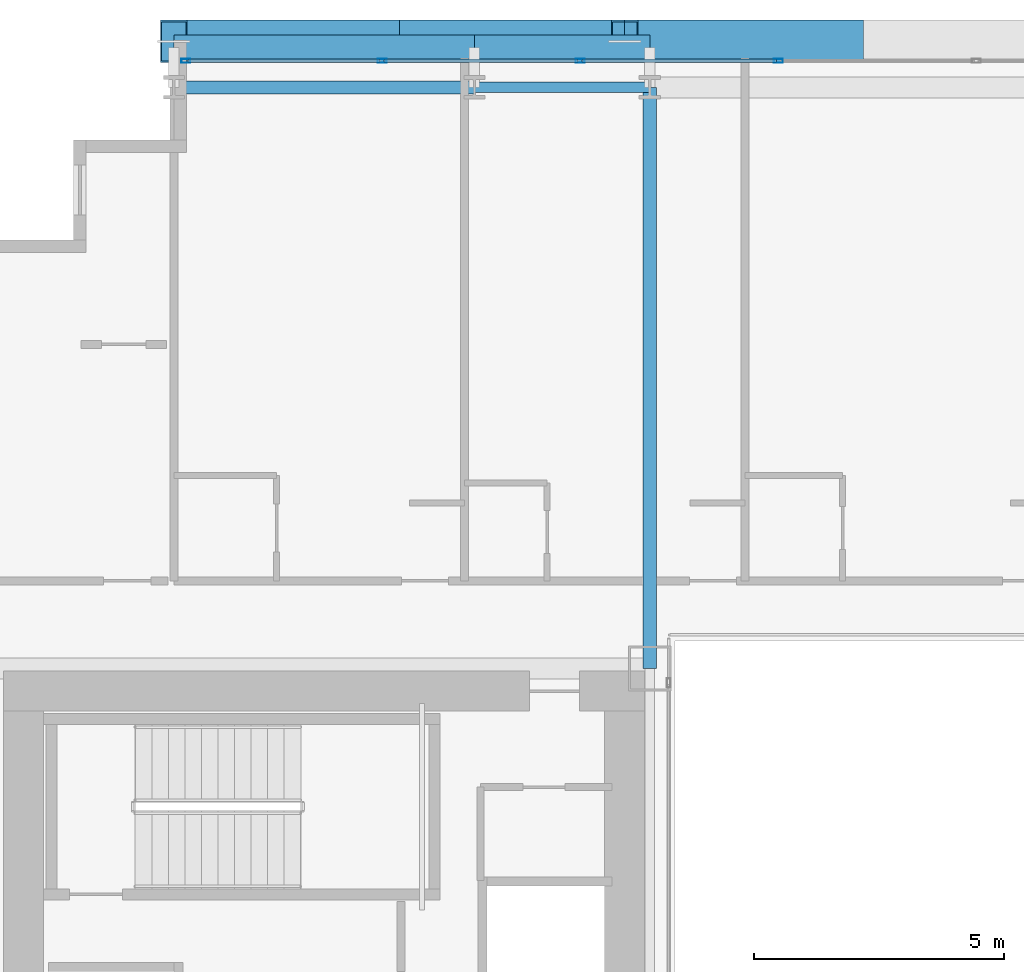
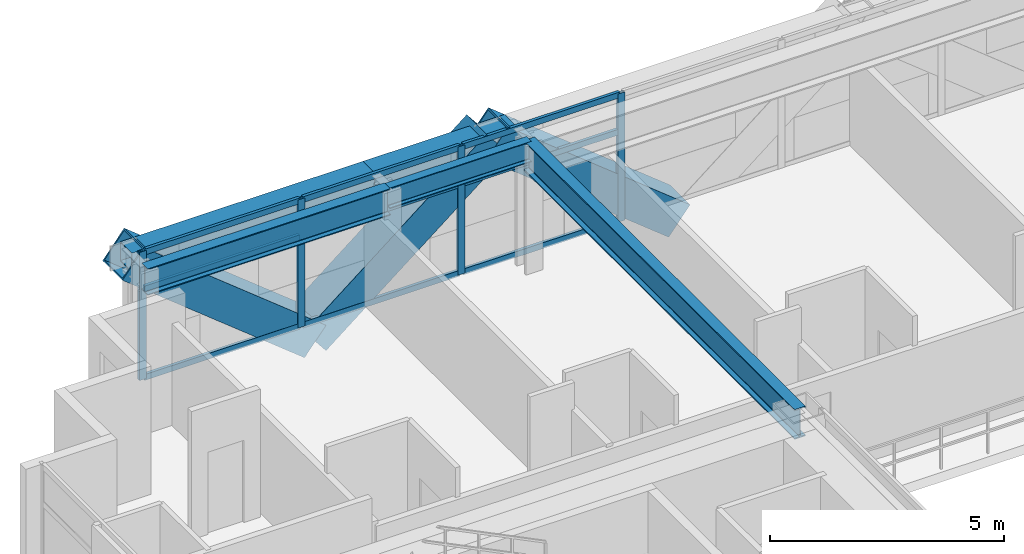
# One storey, part 21 of 41: 16 members, 5 beams, 1 element without a shape of its own.
"""IFC4 building model written with IfcOpenShell, lengths in metres."""

from ifc_helpers import new_model, si_unit, direction, frame, origin, origin_2d, place, context, subcontext, project, spatial, hollow_rectangle, i_section, extrude, source, transform, mapped, material, layer, layer_set, material_profile, profile_set, type_object, element, aggregate, save


model = new_model("IFC4")

# Units and contexts
model_context = context("Model", 3, precision=1e-05, world=origin(), true_north=direction((0.0, 1.0)))
body_context = subcontext(model_context, "Body", "Model", "MODEL_VIEW")
ifc_project = project(units=[si_unit("LENGTHUNIT", "METRE"), si_unit("AREAUNIT", "SQUARE_METRE"), si_unit("VOLUMEUNIT", "CUBIC_METRE"), si_unit("PLANEANGLEUNIT", "RADIAN"), si_unit("MASSUNIT", "GRAM", prefix="KILO")], contexts=[model_context])

# Site, building, storey
site_placement = place(None, origin())
site = spatial("IfcSite", under=ifc_project, at=site_placement, CompositionType="ELEMENT")
building_placement = place(site_placement, origin())
building = spatial("IfcBuilding", under=site, at=building_placement, Name="Ocotamira Hotel", CompositionType="ELEMENT")
storey_placement = place(building_placement, frame((0.0, 0.0, 52.800048828125)))
storey = spatial("IfcBuildingStorey", under=building, at=storey_placement, Name="L12", CompositionType="ELEMENT", Elevation=52.800048828125)

# Beams
ifc_material_1 = material(Name="Steel ASTM A992 Grade 50", Category="steel")
ifc_material_profile_1 = material_profile(ifc_material_1, i_section(OverallWidth=0.256103515625, OverallDepth=0.693115234375, WebThickness=0.014404296875, FlangeThickness=0.023681640625, FilletRadius=0.01611328125, at=origin_2d()), Name="W27X114")
ifc_profile_set_1 = profile_set([ifc_material_profile_1], Name="Steel ASTM A992 Grade 50")
beam_type_1 = type_object("IfcBeamType", Name="BM-PRIM-W27X114", PredefinedType="BEAM", material=ifc_profile_set_1)
shared_shape_1 = source(origin(), body_context, "Body", "SweptSolid", [
    extrude(i_section(OverallWidth=0.256103515625, OverallDepth=0.693115234375, WebThickness=0.014404296875, FlangeThickness=0.023681640625, FilletRadius=0.01611328125, at=origin_2d()), origin(), (0.0, 0.0, 1.0), 6.0),
])
beam_1_placement = place(storey_placement, frame((14.0, 49.050048828125, 3.00341796875), z_axis=(1.0, 0.0, 0.0), x_axis=(0.0, 1.0, 0.0)))
element("IfcBeam", 1, at=beam_1_placement, inside=storey, type_object=beam_type_1, Name="L12 Girder Y49.05 X14-20", PredefinedType="BEAM", context=body_context, shape_type="MappedRepresentation", body=[
    mapped(shared_shape_1, transform((0.0, 0.0, 0.0), scale=1.0)),
])
ifc_material_profile_2 = material_profile(ifc_material_1, i_section(OverallWidth=0.2099609375, OverallDepth=0.537109375, WebThickness=0.010986328125, FlangeThickness=0.017333984375, FilletRadius=0.012939453125, at=origin_2d()), Name="W21X68")
ifc_profile_set_2 = profile_set([ifc_material_profile_2], Name="Steel ASTM A992 Grade 50")
beam_type_2 = type_object("IfcBeamType", Name="BM-SEC-W21X68", PredefinedType="JOIST", material=ifc_profile_set_2)
shared_shape_2 = source(origin(), body_context, "Body", "SweptSolid", [
    extrude(i_section(OverallWidth=0.2099609375, OverallDepth=0.537109375, WebThickness=0.010986328125, FlangeThickness=0.017333984375, FilletRadius=0.012939453125, at=origin_2d()), origin(), (0.0, 0.0, 1.0), 3.5),
])
beam_2_placement = place(storey_placement, frame((20.0, 49.050048828125, 3.08154296875), z_axis=(1.0, 0.0, 0.0), x_axis=(0.0, 1.0, 0.0)))
element("IfcBeam", 2, at=beam_2_placement, inside=storey, type_object=beam_type_2, Name="L12 Girder Y49.05 X20-23.5", PredefinedType="JOIST", context=body_context, shape_type="MappedRepresentation", body=[
    mapped(shared_shape_2, transform((0.0, 0.0, 0.0), scale=1.0)),
])
ifc_material_profile_3 = material_profile(ifc_material_1, i_section(OverallWidth=0.26611328125, OverallDepth=0.779052734375, WebThickness=0.0166015625, FlangeThickness=0.030029296875, FilletRadius=0.01806640625, at=origin_2d()), Name="W30X148")
ifc_profile_set_3 = profile_set([ifc_material_profile_3], Name="Steel ASTM A992 Grade 50")
beam_type_3 = type_object("IfcBeamType", Name="BM-GIRD-W30X148", PredefinedType="BEAM", material=ifc_profile_set_3)
shared_shape_3 = source(origin(), body_context, "Body", "SweptSolid", [
    extrude(i_section(OverallWidth=0.26611328125, OverallDepth=0.779052734375, WebThickness=0.0166015625, FlangeThickness=0.030029296875, FilletRadius=0.01806640625, at=origin_2d()), origin(), (0.0, 0.0, 1.0), 11.60009765625),
])
beam_3_placement = place(storey_placement, frame((23.5, 37.449951171875, 2.96044921875), z_axis=(0.0, 1.0, 0.0), x_axis=(-1.0, 0.0, 0.0)))
element("IfcBeam", 3, at=beam_3_placement, inside=storey, type_object=beam_type_3, Name="L12 Beam X23.5 Y37.45-49.05", PredefinedType="BEAM", context=body_context, shape_type="MappedRepresentation", body=[
    mapped(shared_shape_3, transform((0.0, 0.0, 0.0), scale=1.0)),
])
ifc_material_2 = material(Name="Steel ASTM A500 Grade C", Category="steel")
ifc_material_profile_4 = material_profile(ifc_material_2, hollow_rectangle(XDim=0.5, YDim=0.5, WallThickness=0.02001953125, at=origin_2d()), Name="HSS500X500X20")
ifc_profile_set_4 = profile_set([ifc_material_profile_4], Name="Steel ASTM A500 Grade C")
beam_type_4 = type_object("IfcBeamType", Name="BM-SPAN-HSS500", PredefinedType="USERDEFINED", material=ifc_profile_set_4)
shared_shape_4 = source(origin(), body_context, "Body", "SweptSolid", [
    extrude(hollow_rectangle(XDim=0.5, YDim=0.5, WallThickness=0.02001953125, at=origin_2d()), origin(), (0.0, 0.0, 1.0), 6.0),
])
beam_4_placement = place(storey_placement, frame((14.0, 49.85009765625, 3.099853515625), z_axis=(1.0, 0.0, 0.0), x_axis=(0.0, 1.0, 0.0)))
element("IfcBeam", 4, at=beam_4_placement, inside=storey, type_object=beam_type_4, Name="L12 Edge Spandrel N X14-20", ObjectType="SPANDREL", PredefinedType="USERDEFINED", context=body_context, shape_type="MappedRepresentation", body=[
    mapped(shared_shape_4, transform((0.0, 0.0, 0.0), scale=1.0)),
])
shared_shape_5 = source(origin(), body_context, "Body", "SweptSolid", [
    extrude(hollow_rectangle(XDim=0.5, YDim=0.5, WallThickness=0.02001953125, at=origin_2d()), origin(), (0.0, 0.0, 1.0), 3.5),
])
beam_5_placement = place(storey_placement, frame((20.0, 49.85009765625, 3.099853515625), z_axis=(1.0, 0.0, 0.0), x_axis=(0.0, 1.0, 0.0)))
element("IfcBeam", 5, at=beam_5_placement, inside=storey, type_object=beam_type_4, Name="L12 Edge Spandrel N X20-23.5", ObjectType="SPANDREL", PredefinedType="USERDEFINED", context=body_context, shape_type="MappedRepresentation", body=[
    mapped(shared_shape_5, transform((0.0, 0.0, 0.0), scale=1.0)),
])

# Members
ifc_material_3 = material(Name="Pale-metal coated steel ASTM A913 Grade 65", Category="steel")
ifc_material_profile_5 = material_profile(ifc_material_3, hollow_rectangle(XDim=0.85009765625, YDim=0.85009765625, WallThickness=0.035888671875, at=origin_2d()), Name="BOX850X850X36")
ifc_profile_set_5 = profile_set([ifc_material_profile_5], Name="Pale-metal coated steel ASTM A913 Grade 65")
member_type_1 = type_object("IfcMemberType", Name="MEM-EXO-BOX850", PredefinedType="BRACE", material=ifc_profile_set_5)
shared_shape_6 = source(origin(), body_context, "Body", "SweptSolid", [
    extrude(hollow_rectangle(XDim=0.85009765625, YDim=0.85009765625, WallThickness=0.035888671875, at=origin_2d()), origin(), (0.0, 0.0, 1.0), 5.7626953125),
])
for number, where, z_axis, x_axis, name in (
    (6, (18.5, 49.969970703125, -0.5), (-0.780881208953, 0.0, 0.624679547852), (0.0, -1.0, 0.0), "L12 Exoskeleton Diagrid N0.1"),
    (7, (18.5, 49.969970703125, -0.5), (0.780881208953, 0.0, 0.624679547852), (0.0, 1.0, 0.0), "L12 Exoskeleton Diagrid N0.2"),
    (8, (27.5, 49.969970703125, -0.5), (-0.780881208953, 0.0, 0.624679547852), (0.0, -1.0, 0.0), "L12 Exoskeleton Diagrid N1.1"),
):
    element("IfcMember", number, at=place(storey_placement, frame(where, z_axis=z_axis, x_axis=x_axis)), inside=storey, type_object=member_type_1, Name=name, PredefinedType="BRACE", context=body_context, shape_type="MappedRepresentation", body=[
        mapped(shared_shape_6, transform((0.0, 0.0, 0.0), scale=1.0)),
    ])

# Curtain wall, members
ifc_material_4 = material(Name="Anodised pale-metal aluminium and solar glass", Category="aluminium")
ifc_layer = layer(ifc_material_4, 0.179931640625)
ifc_layer_set = layer_set([ifc_layer], Name="Anodised pale-metal aluminium and solar glass")
curtain_wall_type = type_object("IfcCurtainWallType", Name="CW-SYS2-Z1", PredefinedType="NOTDEFINED", material=ifc_layer_set)
curtain_wall_placement = place(storey_placement, origin())
curtain_wall = element("IfcCurtainWall", 9, at=curtain_wall_placement, inside=storey, type_object=curtain_wall_type, Name="L12 Curtain Wall CW-2 CW-L12-N", PredefinedType="NOTDEFINED")
ifc_material_5 = material(Name="Anodised pale-metal aluminium 6063-T6", Category="aluminium")
ifc_material_profile_6 = material_profile(ifc_material_5, hollow_rectangle(XDim=0.080078125, YDim=0.179931640625, WallThickness=0.006103515625, at=origin_2d()), Name="HSS180X80X6")
ifc_profile_set_6 = profile_set([ifc_material_profile_6], Name="Anodised pale-metal aluminium 6063-T6")
member_type_2 = type_object("IfcMemberType", Name="CWM-180X75", PredefinedType="MULLION", material=ifc_profile_set_6)
shared_shape_7 = source(origin(), body_context, "Body", "SweptSolid", [
    extrude(hollow_rectangle(XDim=0.080078125, YDim=0.179931640625, WallThickness=0.006103515625, at=origin_2d()), origin(), (0.0, 0.0, 1.0), 3.349853515625),
])
member_1_placement = place(storey_placement, frame((14.239990234375, 49.580078125, 0.0), z_axis=(0.0, 0.0, 1.0), x_axis=(0.0, 1.0, 0.0)))
member_1 = element("IfcMember", 10, at=member_1_placement, type_object=member_type_2, Name="CW-2 mullion 1", PredefinedType="MULLION", context=body_context, shape_type="MappedRepresentation", body=[
    mapped(shared_shape_7, transform((0.0, 0.0, 0.0), scale=1.0)),
])
member_2_placement = place(storey_placement, frame((18.155517578125, 49.580078125, 0.0), z_axis=(0.0, 0.0, 1.0), x_axis=(0.0, 1.0, 0.0)))
member_2 = element("IfcMember", 11, at=member_2_placement, type_object=member_type_2, Name="CW-2 mullion 2", PredefinedType="MULLION", context=body_context, shape_type="MappedRepresentation", body=[
    mapped(shared_shape_7, transform((0.0, 0.0, 0.0), scale=1.0)),
])
member_3_placement = place(storey_placement, frame((22.111083984375, 49.580078125, 0.0), z_axis=(0.0, 0.0, 1.0), x_axis=(0.0, 1.0, 0.0)))
member_3 = element("IfcMember", 12, at=member_3_placement, type_object=member_type_2, Name="CW-2 mullion 3", PredefinedType="MULLION", context=body_context, shape_type="MappedRepresentation", body=[
    mapped(shared_shape_7, transform((0.0, 0.0, 0.0), scale=1.0)),
])
member_4_placement = place(storey_placement, frame((26.066650390625, 49.580078125, 0.0), z_axis=(0.0, 0.0, 1.0), x_axis=(0.0, 1.0, 0.0)))
member_4 = element("IfcMember", 13, at=member_4_placement, type_object=member_type_2, Name="CW-2 mullion 4", PredefinedType="MULLION", context=body_context, shape_type="MappedRepresentation", body=[
    mapped(shared_shape_7, transform((0.0, 0.0, 0.0), scale=1.0)),
])
ifc_material_profile_7 = material_profile(ifc_material_5, hollow_rectangle(XDim=0.074951171875, YDim=0.14990234375, WallThickness=0.006103515625, at=origin_2d()), Name="HSS150X75X6")
ifc_profile_set_7 = profile_set([ifc_material_profile_7], Name="Anodised pale-metal aluminium 6063-T6")
member_type_3 = type_object("IfcMemberType", Name="CWT-150X75", PredefinedType="USERDEFINED", material=ifc_profile_set_7)
shared_shape_8 = source(origin(), body_context, "Body", "SweptSolid", [
    extrude(hollow_rectangle(XDim=0.074951171875, YDim=0.14990234375, WallThickness=0.006103515625, at=origin_2d()), origin(), (0.0, 0.0, 1.0), 3.83544921875),
])
member_5_placement = place(storey_placement, frame((14.280029296875, 49.580078125, 0.037353515625), z_axis=(1.0, 0.0, 0.0), x_axis=(0.0, 1.0, 0.0)))
member_5 = element("IfcMember", 14, at=member_5_placement, type_object=member_type_3, Name="CW-2 transom 1.1", ObjectType="TRANSOM", PredefinedType="USERDEFINED", context=body_context, shape_type="MappedRepresentation", body=[
    mapped(shared_shape_8, transform((0.0, 0.0, 0.0), scale=1.0)),
])
member_6_placement = place(storey_placement, frame((14.280029296875, 49.580078125, 2.349853515625), z_axis=(1.0, 0.0, 0.0), x_axis=(0.0, 1.0, 0.0)))
member_6 = element("IfcMember", 15, at=member_6_placement, type_object=member_type_3, Name="CW-2 transom 1.2", ObjectType="TRANSOM", PredefinedType="USERDEFINED", context=body_context, shape_type="MappedRepresentation", body=[
    mapped(shared_shape_8, transform((0.0, 0.0, 0.0), scale=1.0)),
])
member_7_placement = place(storey_placement, frame((14.280029296875, 49.580078125, 3.3125), z_axis=(1.0, 0.0, 0.0), x_axis=(0.0, 1.0, 0.0)))
member_7 = element("IfcMember", 16, at=member_7_placement, type_object=member_type_3, Name="CW-2 transom 1.3", ObjectType="TRANSOM", PredefinedType="USERDEFINED", context=body_context, shape_type="MappedRepresentation", body=[
    mapped(shared_shape_8, transform((0.0, 0.0, 0.0), scale=1.0)),
])
shared_shape_9 = source(origin(), body_context, "Body", "SweptSolid", [
    extrude(hollow_rectangle(XDim=0.074951171875, YDim=0.14990234375, WallThickness=0.006103515625, at=origin_2d()), origin(), (0.0, 0.0, 1.0), 3.87548828125),
])
member_8_placement = place(storey_placement, frame((18.195556640625, 49.580078125, 0.037353515625), z_axis=(1.0, 0.0, 0.0), x_axis=(0.0, 1.0, 0.0)))
member_8 = element("IfcMember", 17, at=member_8_placement, type_object=member_type_3, Name="CW-2 transom 2.1", ObjectType="TRANSOM", PredefinedType="USERDEFINED", context=body_context, shape_type="MappedRepresentation", body=[
    mapped(shared_shape_9, transform((0.0, 0.0, 0.0), scale=1.0)),
])
member_9_placement = place(storey_placement, frame((18.195556640625, 49.580078125, 2.349853515625), z_axis=(1.0, 0.0, 0.0), x_axis=(0.0, 1.0, 0.0)))
member_9 = element("IfcMember", 18, at=member_9_placement, type_object=member_type_3, Name="CW-2 transom 2.2", ObjectType="TRANSOM", PredefinedType="USERDEFINED", context=body_context, shape_type="MappedRepresentation", body=[
    mapped(shared_shape_9, transform((0.0, 0.0, 0.0), scale=1.0)),
])
member_10_placement = place(storey_placement, frame((18.195556640625, 49.580078125, 3.3125), z_axis=(1.0, 0.0, 0.0), x_axis=(0.0, 1.0, 0.0)))
member_10 = element("IfcMember", 19, at=member_10_placement, type_object=member_type_3, Name="CW-2 transom 2.3", ObjectType="TRANSOM", PredefinedType="USERDEFINED", context=body_context, shape_type="MappedRepresentation", body=[
    mapped(shared_shape_9, transform((0.0, 0.0, 0.0), scale=1.0)),
])
member_11_placement = place(storey_placement, frame((22.151123046875, 49.580078125, 0.037353515625), z_axis=(1.0, 0.0, 0.0), x_axis=(0.0, 1.0, 0.0)))
member_11 = element("IfcMember", 20, at=member_11_placement, type_object=member_type_3, Name="CW-2 transom 3.1", ObjectType="TRANSOM", PredefinedType="USERDEFINED", context=body_context, shape_type="MappedRepresentation", body=[
    mapped(shared_shape_9, transform((0.0, 0.0, 0.0), scale=1.0)),
])
member_12_placement = place(storey_placement, frame((22.151123046875, 49.580078125, 2.349853515625), z_axis=(1.0, 0.0, 0.0), x_axis=(0.0, 1.0, 0.0)))
member_12 = element("IfcMember", 21, at=member_12_placement, type_object=member_type_3, Name="CW-2 transom 3.2", ObjectType="TRANSOM", PredefinedType="USERDEFINED", context=body_context, shape_type="MappedRepresentation", body=[
    mapped(shared_shape_9, transform((0.0, 0.0, 0.0), scale=1.0)),
])
member_13_placement = place(storey_placement, frame((22.151123046875, 49.580078125, 3.3125), z_axis=(1.0, 0.0, 0.0), x_axis=(0.0, 1.0, 0.0)))
member_13 = element("IfcMember", 22, at=member_13_placement, type_object=member_type_3, Name="CW-2 transom 3.3", ObjectType="TRANSOM", PredefinedType="USERDEFINED", context=body_context, shape_type="MappedRepresentation", body=[
    mapped(shared_shape_9, transform((0.0, 0.0, 0.0), scale=1.0)),
])
aggregate(curtain_wall, [member_1, member_2, member_3, member_4, member_5, member_6, member_7, member_8, member_9, member_10, member_11, member_12, member_13])

save(model, "model.ifc")
